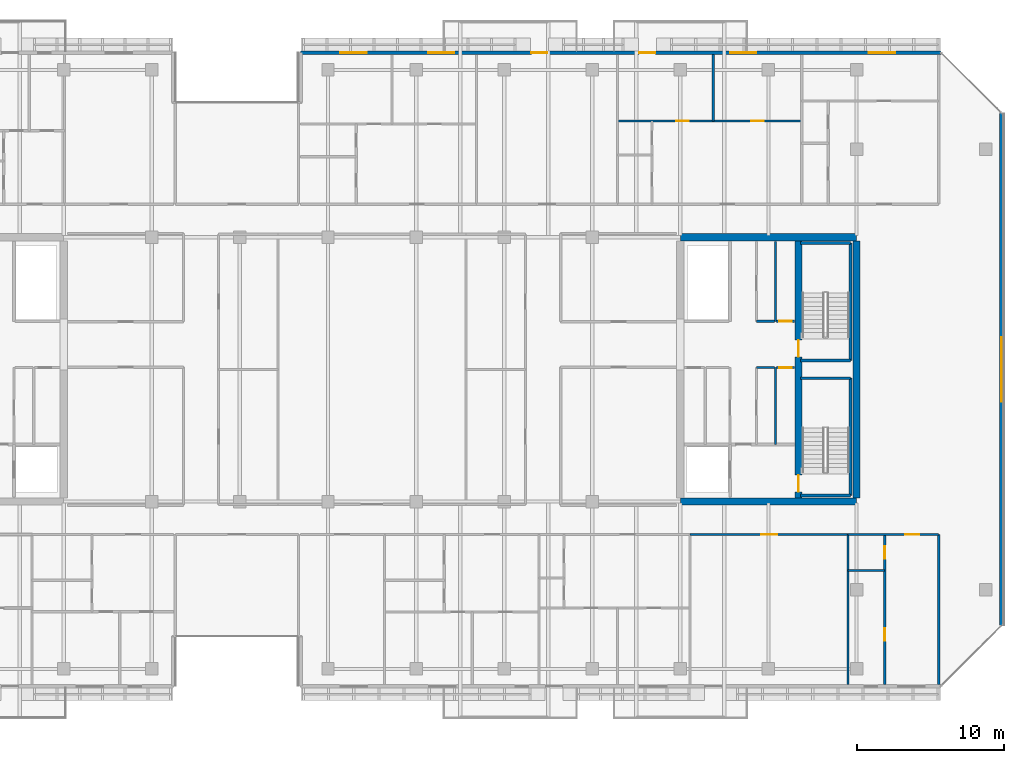
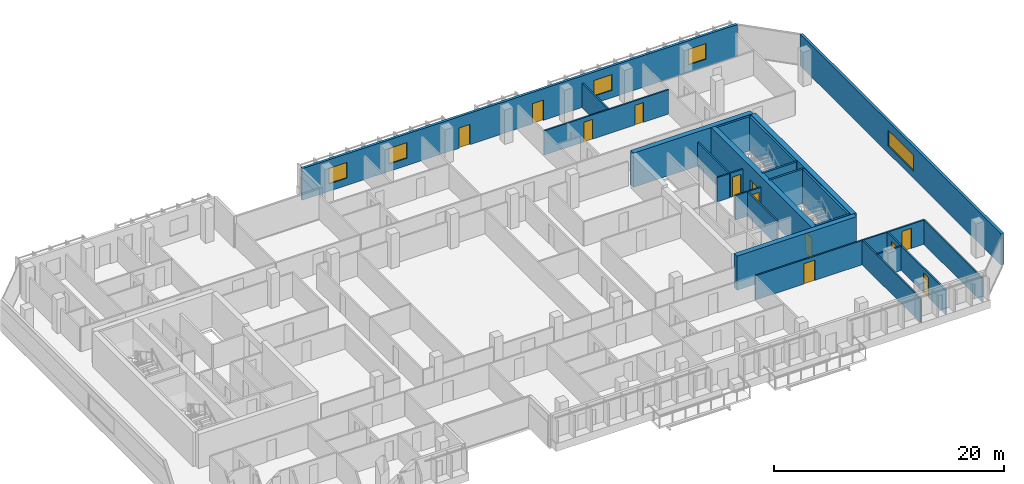
# One storey, part 24 of 31: 26 walls, 12 doors, 5 windows, 17 openings.
"""IFC4 building model written with IfcOpenShell, lengths in metres."""

from ifc_helpers import new_model, si_unit, direction, frame, frame_2d, origin, place, context, subcontext, project, spatial, rectangle, extrude, material, layer, layer_set, type_object, element, fill, save


model = new_model("IFC4")

# Units and contexts
model_context = context("Model", 3, precision=1e-05, world=origin(), true_north=direction((0.0, 1.0)))
body_context = subcontext(model_context, "Body", "Model", "MODEL_VIEW")
ifc_project = project(units=[si_unit("LENGTHUNIT", "METRE"), si_unit("AREAUNIT", "SQUARE_METRE"), si_unit("VOLUMEUNIT", "CUBIC_METRE"), si_unit("PLANEANGLEUNIT", "RADIAN"), si_unit("MASSUNIT", "GRAM", prefix="KILO")], contexts=[model_context])

# Site, building, storey
site_placement = place(None, origin())
site = spatial("IfcSite", under=ifc_project, at=site_placement, CompositionType="ELEMENT")
building_placement = place(site_placement, origin())
building = spatial("IfcBuilding", under=site, at=building_placement, Name="Tanjung Sevakor Pilgrim Tower", CompositionType="ELEMENT")
storey_placement = place(building_placement, frame((0.0, 0.0, 169.2900390625)))
storey = spatial("IfcBuildingStorey", under=building, at=storey_placement, Name="L47", CompositionType="ELEMENT", Elevation=169.2900390625)

# Walls
ifc_material_1 = material(Name="Concrete C60/75", Category="concrete")
ifc_layer_1 = layer(ifc_material_1, 0.5)
ifc_layer_set_1 = layer_set([ifc_layer_1], Name="WALL-CW-500")
wall_type_1 = type_object("IfcWallType", Name="WALL-CW-500", PredefinedType="SHEAR", material=ifc_layer_set_1)
for number, where, z_axis, x_axis, name in (
    (1, (78.0, 24.60009765625, 0.0), (0.0, 0.0, 1.0), (1.0, 0.0, 0.0), "L47 E Core South Shear Wall"),
    (2, (90.0, 42.60009765625, 0.0), (0.0, 0.0, 1.0), (-1.0, 0.0, 0.0), "L47 E Core North Shear Wall"),
):
    element("IfcWall", number, at=place(storey_placement, frame(where, z_axis=z_axis, x_axis=x_axis)), inside=storey, type_object=wall_type_1, Name=name, PredefinedType="SHEAR", context=body_context, shape_type="SweptSolid", body=[
        extrude(rectangle(XDim=12.0, YDim=0.5, at=frame_2d((6.0, 0.0))), origin(), (0.0, 0.0, 1.0), 3.6298828125),
    ])
wall_1_placement = place(storey_placement, frame((90.0, 24.85009765625, 0.0), z_axis=(0.0, 0.0, 1.0), x_axis=(0.0, 1.0, 0.0)))
element("IfcWall", 3, at=wall_1_placement, inside=storey, type_object=wall_type_1, Name="L47 E Core Outer Shear Wall", PredefinedType="SHEAR", context=body_context, shape_type="SweptSolid", body=[
    extrude(rectangle(XDim=17.5, YDim=0.5, at=frame_2d((8.75, 0.0))), origin(), (0.0, 0.0, 1.0), 3.6298828125),
])

# Wall, openings, doors
wall_2_placement = place(storey_placement, frame((86.050048828125, 24.85009765625, 0.0), z_axis=(0.0, 0.0, 1.0), x_axis=(0.0, 1.0, 0.0)))
wall_2 = element("IfcWall", 4, at=wall_2_placement, inside=storey, type_object=wall_type_1, Name="L47 E Core Stair Spine Wall", PredefinedType="SHEAR", context=body_context, shape_type="SweptSolid", body=[
    extrude(rectangle(XDim=17.5, YDim=0.5, at=frame_2d((8.75, 0.0))), origin(), (0.0, 0.0, 1.0), 3.6298828125),
])
opening_1_placement = place(wall_2_placement, frame((0.39990234375, 0.0, 0.0)))
opening_1 = element("IfcOpeningElement", 5, at=opening_1_placement, cuts=wall_2, Name="Opening ID-ST1", PredefinedType="OPENING", context=body_context, shape_type="SweptSolid", body=[
    extrude(rectangle(XDim=1.14990234375, YDim=2.14990234375, at=frame_2d((0.574951171875, 1.074951171875))), frame((0.0, 0.260009765625, 0.0), z_axis=(0.0, -1.0, 0.0), x_axis=(1.0, 0.0, 0.0)), (0.0, 0.0, 1.0), 0.52001953125),
])
opening_2_placement = place(wall_2_placement, frame((9.60009765625, 0.0, 0.0)))
opening_2 = element("IfcOpeningElement", 6, at=opening_2_placement, cuts=wall_2, Name="Opening ID-ST1", PredefinedType="OPENING", context=body_context, shape_type="SweptSolid", body=[
    extrude(rectangle(XDim=1.14990234375, YDim=2.14990234375, at=frame_2d((0.574951171875, 1.074951171875))), frame((0.0, 0.260009765625, 0.0), z_axis=(0.0, -1.0, 0.0), x_axis=(1.0, 0.0, 0.0)), (0.0, 0.0, 1.0), 0.52001953125),
])
ifc_material_2 = material(Name="Fire-Rated Steel S355J2", Category="steel")
door_type_1 = type_object("IfcDoorType", Name="DT-FIRE-1150", OperationType="NOTDEFINED", PredefinedType="DOOR", material=ifc_material_2)
door_1_placement = place(opening_1_placement, origin())
door_1 = element("IfcDoor", 7, at=door_1_placement, inside=storey, type_object=door_type_1, Name="L47 TS-E1 Stair Fire Door", OperationType="SINGLE_SWING_RIGHT", OverallHeight=2.14990234375, OverallWidth=1.14990234375, PredefinedType="DOOR", context=body_context, shape_type="SweptSolid", body=[
    extrude(rectangle(XDim=1.14990234375, YDim=2.14990234375, at=frame_2d((0.574951171875, 1.074951171875))), frame((0.0, 0.02490234375, 0.0), z_axis=(0.0, -1.0, 0.0), x_axis=(1.0, 0.0, 0.0)), (0.0, 0.0, 1.0), 0.050048828125),
])
fill(opening_1, door_1)
door_2_placement = place(opening_2_placement, origin())
door_2 = element("IfcDoor", 8, at=door_2_placement, inside=storey, type_object=door_type_1, Name="L47 TS-E2 Stair Fire Door", OperationType="SINGLE_SWING_LEFT", OverallHeight=2.14990234375, OverallWidth=1.14990234375, PredefinedType="DOOR", context=body_context, shape_type="SweptSolid", body=[
    extrude(rectangle(XDim=1.14990234375, YDim=2.14990234375, at=frame_2d((0.574951171875, 1.074951171875))), frame((0.0, 0.02490234375, 0.0), z_axis=(0.0, -1.0, 0.0), x_axis=(1.0, 0.0, 0.0)), (0.0, 0.0, 1.0), 0.050048828125),
])
fill(opening_2, door_2)

# Wall
ifc_material_3 = material(Name="Concrete C40/50", Category="concrete")
ifc_layer_2 = layer(ifc_material_3, 0.14990234375)
ifc_layer_set_2 = layer_set([ifc_layer_2], Name="WT-COMP-150")
wall_type_2 = type_object("IfcWallType", Name="WT-COMP-150", PredefinedType="SOLIDWALL", material=ifc_layer_set_2)
wall_3_placement = place(storey_placement, frame((84.47998046875, 28.5, 0.0), z_axis=(0.0, 0.0, 1.0), x_axis=(0.0, 1.0, 0.0)))
element("IfcWall", 9, at=wall_3_placement, inside=storey, type_object=wall_type_2, Name="L47 Partition IW-L47-019", PredefinedType="SOLIDWALL", context=body_context, shape_type="SweptSolid", body=[
    extrude(rectangle(XDim=5.219970703125, YDim=0.14990234375, at=frame_2d((2.60986328125, 0.0))), origin(), (0.0, 0.0, 1.0), 2.570068359375),
])

# Wall, opening, door
wall_4_placement = place(storey_placement, frame((84.550048828125, 33.719970703125, 0.0), z_axis=(0.0, 0.0, 1.0), x_axis=(1.0, 0.0, 0.0)))
wall_4 = element("IfcWall", 10, at=wall_4_placement, inside=storey, type_object=wall_type_2, Name="L47 Partition IW-L47-020", PredefinedType="SOLIDWALL", context=body_context, shape_type="SweptSolid", body=[
    extrude(rectangle(XDim=1.22998046875, YDim=0.14990234375, at=frame_2d((0.614990234375, 0.0))), origin(), (0.0, 0.0, 1.0), 2.570068359375),
])
opening_3_placement = place(wall_4_placement, frame((0.179931640625, 0.0, 0.0)))
opening_3 = element("IfcOpeningElement", 11, at=opening_3_placement, cuts=wall_4, Name="Opening ID-FD3", PredefinedType="OPENING", context=body_context, shape_type="SweptSolid", body=[
    extrude(rectangle(XDim=0.85009765625, YDim=2.10009765625, at=frame_2d((0.425048828125, 1.050048828125))), frame((0.0, 0.0849609375, 0.0), z_axis=(0.0, -1.0, 0.0), x_axis=(1.0, 0.0, 0.0)), (0.0, 0.0, 1.0), 0.169921875),
])
ifc_material_4 = material(Name="Fire-Rated Timber", Category="wood")
door_type_2 = type_object("IfcDoorType", Name="DT-FIRE-850", OperationType="NOTDEFINED", PredefinedType="DOOR", material=ifc_material_4)
door_3_placement = place(opening_3_placement, origin())
door_3 = element("IfcDoor", 12, at=door_3_placement, inside=storey, type_object=door_type_2, Name="L47 Cleaner Store Door", OperationType="SINGLE_SWING_RIGHT", OverallHeight=2.10009765625, OverallWidth=0.85009765625, PredefinedType="DOOR", context=body_context, shape_type="SweptSolid", body=[
    extrude(rectangle(XDim=0.85009765625, YDim=2.10009765625, at=frame_2d((0.425048828125, 1.050048828125))), frame((0.0, 0.02490234375, 0.0), z_axis=(0.0, -1.0, 0.0), x_axis=(1.0, 0.0, 0.0)), (0.0, 0.0, 1.0), 0.050048828125),
])
fill(opening_3, door_3)

# Walls
wall_5_placement = place(storey_placement, frame((83.199951171875, 33.719970703125, 0.0), z_axis=(0.0, 0.0, 1.0), x_axis=(1.0, 0.0, 0.0)))
element("IfcWall", 13, at=wall_5_placement, inside=storey, type_object=wall_type_2, Name="L47 Partition IW-L47-021", PredefinedType="SOLIDWALL", context=body_context, shape_type="SweptSolid", body=[
    extrude(rectangle(XDim=1.219970703125, YDim=0.14990234375, at=frame_2d((0.60986328125, 0.0))), origin(), (0.0, 0.0, 1.0), 2.570068359375),
])
wall_6_placement = place(storey_placement, frame((84.47998046875, 36.8798828125, 0.0), z_axis=(0.0, 0.0, 1.0), x_axis=(0.0, 1.0, 0.0)))
element("IfcWall", 14, at=wall_6_placement, inside=storey, type_object=wall_type_2, Name="L47 Partition IW-L47-027", PredefinedType="SOLIDWALL", context=body_context, shape_type="SweptSolid", body=[
    extrude(rectangle(XDim=5.420166015625, YDim=0.14990234375, at=frame_2d((2.7099609375, 0.0))), origin(), (0.0, 0.0, 1.0), 2.570068359375),
])

# Wall, opening, door
wall_7_placement = place(storey_placement, frame((84.550048828125, 36.8798828125, 0.0), z_axis=(0.0, 0.0, 1.0), x_axis=(1.0, 0.0, 0.0)))
wall_7 = element("IfcWall", 15, at=wall_7_placement, inside=storey, type_object=wall_type_2, Name="L47 Partition IW-L47-028", PredefinedType="SOLIDWALL", context=body_context, shape_type="SweptSolid", body=[
    extrude(rectangle(XDim=1.22998046875, YDim=0.14990234375, at=frame_2d((0.614990234375, 0.0))), origin(), (0.0, 0.0, 1.0), 2.570068359375),
])
opening_4_placement = place(wall_7_placement, frame((0.179931640625, 0.0, 0.0)))
opening_4 = element("IfcOpeningElement", 16, at=opening_4_placement, cuts=wall_7, Name="Opening ID-FD3", PredefinedType="OPENING", context=body_context, shape_type="SweptSolid", body=[
    extrude(rectangle(XDim=0.85009765625, YDim=2.10009765625, at=frame_2d((0.425048828125, 1.050048828125))), frame((0.0, 0.0849609375, 0.0), z_axis=(0.0, -1.0, 0.0), x_axis=(1.0, 0.0, 0.0)), (0.0, 0.0, 1.0), 0.169921875),
])
door_4_placement = place(opening_4_placement, origin())
door_4 = element("IfcDoor", 17, at=door_4_placement, inside=storey, type_object=door_type_2, Name="L47 Service Store Door", OperationType="SINGLE_SWING_RIGHT", OverallHeight=2.10009765625, OverallWidth=0.85009765625, PredefinedType="DOOR", context=body_context, shape_type="SweptSolid", body=[
    extrude(rectangle(XDim=0.85009765625, YDim=2.10009765625, at=frame_2d((0.425048828125, 1.050048828125))), frame((0.0, 0.02490234375, 0.0), z_axis=(0.0, -1.0, 0.0), x_axis=(1.0, 0.0, 0.0)), (0.0, 0.0, 1.0), 0.050048828125),
])
fill(opening_4, door_4)

# Walls
wall_8_placement = place(storey_placement, frame((83.199951171875, 36.8798828125, 0.0), z_axis=(0.0, 0.0, 1.0), x_axis=(1.0, 0.0, 0.0)))
element("IfcWall", 18, at=wall_8_placement, inside=storey, type_object=wall_type_2, Name="L47 Partition IW-L47-029", PredefinedType="SOLIDWALL", context=body_context, shape_type="SweptSolid", body=[
    extrude(rectangle(XDim=1.219970703125, YDim=0.14990234375, at=frame_2d((0.60986328125, 0.0))), origin(), (0.0, 0.0, 1.0), 2.570068359375),
])
for number, where, z_axis, x_axis, name in (
    (19, (95.60009765625, 12.14990234375, 0.0), (0.0, 0.0, 1.0), (0.0, 1.0, 0.0), "L47 Partition IW-L47-077"),
    (20, (89.42138671875, 12.14990234375, 0.0), (0.0, 0.0, 1.0), (0.0, 1.0, 0.0), "L47 Partition IW-L47-092"),
):
    element("IfcWall", number, at=place(storey_placement, frame(where, z_axis=z_axis, x_axis=x_axis)), inside=storey, type_object=wall_type_2, Name=name, PredefinedType="SOLIDWALL", context=body_context, shape_type="SweptSolid", body=[
        extrude(rectangle(XDim=10.2001953125, YDim=0.14990234375, at=frame_2d((5.10009765625, 0.0))), origin(), (0.0, 0.0, 1.0), 2.570068359375),
    ])

# Wall, opening, door
wall_9_placement = place(storey_placement, frame((78.665771484375, 22.35009765625, 0.0), z_axis=(0.0, 0.0, 1.0), x_axis=(1.0, 0.0, 0.0)))
wall_9 = element("IfcWall", 21, at=wall_9_placement, inside=storey, type_object=wall_type_2, Name="L47 Partition IW-L47-093", PredefinedType="SOLIDWALL", context=body_context, shape_type="SweptSolid", body=[
    extrude(rectangle(XDim=10.755615234375, YDim=0.14990234375, at=frame_2d((5.3779296875, 0.0))), origin(), (0.0, 0.0, 1.0), 2.570068359375),
])
opening_5_placement = place(wall_9_placement, frame((4.827880859375, 0.0, 0.0)))
opening_5 = element("IfcOpeningElement", 22, at=opening_5_placement, cuts=wall_9, Name="Opening ID-FD0", PredefinedType="OPENING", context=body_context, shape_type="SweptSolid", body=[
    extrude(rectangle(XDim=1.10009765625, YDim=2.14990234375, at=frame_2d((0.550048828125, 1.074951171875))), frame((0.0, 0.0849609375, 0.0), z_axis=(0.0, -1.0, 0.0), x_axis=(1.0, 0.0, 0.0)), (0.0, 0.0, 1.0), 0.169921875),
])
ifc_material_5 = material(Name="Fire-Rated Steel S355J2", Category="steel")
door_type_3 = type_object("IfcDoorType", Name="DT-FIRE-1100", OperationType="NOTDEFINED", PredefinedType="DOOR", material=ifc_material_5)
door_5_placement = place(opening_5_placement, origin())
door_5 = element("IfcDoor", 23, at=door_5_placement, inside=storey, type_object=door_type_3, Name="Communal Lounge Door", OperationType="SINGLE_SWING_RIGHT", OverallHeight=2.14990234375, OverallWidth=1.10009765625, PredefinedType="DOOR", context=body_context, shape_type="SweptSolid", body=[
    extrude(rectangle(XDim=1.10009765625, YDim=2.14990234375, at=frame_2d((0.550048828125, 1.074951171875))), frame((0.0, 0.02490234375, 0.0), z_axis=(0.0, -1.0, 0.0), x_axis=(1.0, 0.0, 0.0)), (0.0, 0.0, 1.0), 0.050048828125),
])
fill(opening_5, door_5)

wall_10_placement = place(storey_placement, frame((89.42138671875, 22.35009765625, 0.0), z_axis=(0.0, 0.0, 1.0), x_axis=(1.0, 0.0, 0.0)))
wall_10 = element("IfcWall", 24, at=wall_10_placement, inside=storey, type_object=wall_type_2, Name="L47 Partition IW-L47-096", PredefinedType="SOLIDWALL", context=body_context, shape_type="SweptSolid", body=[
    extrude(rectangle(XDim=6.1787109375, YDim=0.14990234375, at=frame_2d((3.08935546875, 0.0))), origin(), (0.0, 0.0, 1.0), 2.570068359375),
])
opening_6_placement = place(wall_10_placement, frame((3.90380859375, 0.0, 0.0)))
opening_6 = element("IfcOpeningElement", 25, at=opening_6_placement, cuts=wall_10, Name="Opening ID-FD2", PredefinedType="OPENING", context=body_context, shape_type="SweptSolid", body=[
    extrude(rectangle(XDim=0.949951171875, YDim=2.14990234375, at=frame_2d((0.47509765625, 1.074951171875))), frame((0.0, 0.0849609375, 0.0), z_axis=(0.0, -1.0, 0.0), x_axis=(1.0, 0.0, 0.0)), (0.0, 0.0, 1.0), 0.169921875),
])
ifc_material_6 = material(Name="Fire-Rated Timber", Category="wood")
door_type_4 = type_object("IfcDoorType", Name="DT-FIRE-950", OperationType="NOTDEFINED", PredefinedType="DOOR", material=ifc_material_6)
door_6_placement = place(opening_6_placement, origin())
door_6 = element("IfcDoor", 26, at=door_6_placement, inside=storey, type_object=door_type_4, Name="Hostel Quad Entrance", OperationType="SINGLE_SWING_LEFT", OverallHeight=2.14990234375, OverallWidth=0.949951171875, PredefinedType="DOOR", context=body_context, shape_type="SweptSolid", body=[
    extrude(rectangle(XDim=0.949951171875, YDim=2.14990234375, at=frame_2d((0.47509765625, 1.074951171875))), frame((0.0, 0.02490234375, 0.0), z_axis=(0.0, -1.0, 0.0), x_axis=(1.0, 0.0, 0.0)), (0.0, 0.0, 1.0), 0.050048828125),
])
fill(opening_6, door_6)

# Wall, opening, window
ifc_material_7 = material(Name="Precast concrete C45/55", Category="concrete")
ifc_layer_3 = layer(ifc_material_7, 0.25)
ifc_layer_set_3 = layer_set([ifc_layer_3], Name="WT-EW-STN3")
wall_type_3 = type_object("IfcWallType", Name="WT-EW-STN3", PredefinedType="SOLIDWALL", material=ifc_layer_set_3)
wall_11_placement = place(storey_placement, frame((99.875, 16.15185546875, 0.0), z_axis=(0.0, 0.0, 1.0), x_axis=(0.0, 1.0, 0.0)))
wall_11 = element("IfcWall", 27, at=wall_11_placement, inside=storey, type_object=wall_type_3, Name="L47 MAIN Exterior Wall 7", PredefinedType="SOLIDWALL", context=body_context, shape_type="SweptSolid", body=[
    extrude(rectangle(XDim=34.896240234375, YDim=0.25, at=frame_2d((17.4482421875, 0.0))), origin(), (0.0, 0.0, 1.0), 3.35009765625),
])
opening_7_placement = place(wall_11_placement, frame((15.248291015625, 0.0, 0.780029296875)))
opening_7 = element("IfcOpeningElement", 28, at=opening_7_placement, cuts=wall_11, Name="Opening WN-ENDW-1660", PredefinedType="OPENING", context=body_context, shape_type="SweptSolid", body=[
    extrude(rectangle(XDim=4.39990234375, YDim=1.659912109375, at=frame_2d((2.199951171875, 0.830078125))), frame((0.0, 0.135009765625, 0.0), z_axis=(0.0, -1.0, 0.0), x_axis=(1.0, 0.0, 0.0)), (0.0, 0.0, 1.0), 0.27001953125),
])
ifc_material_8 = material(Name="Thermally Broken Aluminium and Low-E Glass", Category="aluminium")
window_type_1 = type_object("IfcWindowType", Name="WTYP-WN-ENDW-1660", PartitioningType="DOUBLE_PANEL_VERTICAL", PredefinedType="WINDOW", material=ifc_material_8)
window_1_placement = place(opening_7_placement, origin())
window_1 = element("IfcWindow", 29, at=window_1_placement, inside=storey, type_object=window_type_1, Name="L47 Facade Window 01", OverallHeight=1.659912109375, OverallWidth=4.39990234375, PartitioningType="SINGLE_PANEL", PredefinedType="WINDOW", context=body_context, shape_type="SweptSolid", body=[
    extrude(rectangle(XDim=4.39990234375, YDim=1.659912109375, at=frame_2d((2.199951171875, 0.830078125))), frame((0.0, 0.030029296875, 0.0), z_axis=(0.0, -1.0, 0.0), x_axis=(1.0, 0.0, 0.0)), (0.0, 0.0, 1.0), 0.06005859375),
])
fill(opening_7, window_1)

# Wall, openings, doors, windows
wall_12_placement = place(storey_placement, frame((95.748291015625, 55.175048828125, 0.0), z_axis=(0.0, 0.0, 1.0), x_axis=(-1.0, 0.0, 0.0)))
wall_12 = element("IfcWall", 30, at=wall_12_placement, inside=storey, type_object=wall_type_3, Name="L47 MAIN Exterior Wall 9", PredefinedType="SOLIDWALL", context=body_context, shape_type="SweptSolid", body=[
    extrude(rectangle(XDim=43.623291015625, YDim=0.25, at=frame_2d((21.8115234375, 0.0))), origin(), (0.0, 0.0, 1.0), 3.35009765625),
])
opening_8_placement = place(wall_12_placement, frame((26.798095703125, 0.0, 0.0)))
opening_8 = element("IfcOpeningElement", 31, at=opening_8_placement, cuts=wall_12, Name="Opening ED-BAL-1100", PredefinedType="OPENING", context=body_context, shape_type="SweptSolid", body=[
    extrude(rectangle(XDim=1.10009765625, YDim=2.14990234375, at=frame_2d((0.550048828125, 1.074951171875))), frame((0.0, 0.135009765625, 0.0), z_axis=(0.0, -1.0, 0.0), x_axis=(1.0, 0.0, 0.0)), (0.0, 0.0, 1.0), 0.27001953125),
])
opening_9_placement = place(wall_12_placement, frame((19.4482421875, 0.0, 0.0)))
opening_9 = element("IfcOpeningElement", 32, at=opening_9_placement, cuts=wall_12, Name="Opening ED-BAL-1100", PredefinedType="OPENING", context=body_context, shape_type="SweptSolid", body=[
    extrude(rectangle(XDim=1.10009765625, YDim=2.14990234375, at=frame_2d((0.550048828125, 1.074951171875))), frame((0.0, 0.135009765625, 0.0), z_axis=(0.0, -1.0, 0.0), x_axis=(1.0, 0.0, 0.0)), (0.0, 0.0, 1.0), 0.27001953125),
])
opening_10_placement = place(wall_12_placement, frame((39.1171875, 0.0, 0.780029296875)))
opening_10 = element("IfcOpeningElement", 33, at=opening_10_placement, cuts=wall_12, Name="Opening WN-Z3-1660", PredefinedType="OPENING", context=body_context, shape_type="SweptSolid", body=[
    extrude(rectangle(XDim=1.800048828125, YDim=1.659912109375, at=frame_2d((0.89990234375, 0.830078125))), frame((0.0, 0.135009765625, 0.0), z_axis=(0.0, -1.0, 0.0), x_axis=(1.0, 0.0, 0.0)), (0.0, 0.0, 1.0), 0.27001953125),
])
opening_11_placement = place(wall_12_placement, frame((33.135498046875, 0.0, 0.780029296875)))
opening_11 = element("IfcOpeningElement", 34, at=opening_11_placement, cuts=wall_12, Name="Opening WN-Z3-1660", PredefinedType="OPENING", context=body_context, shape_type="SweptSolid", body=[
    extrude(rectangle(XDim=1.800048828125, YDim=1.659912109375, at=frame_2d((0.89990234375, 0.830078125))), frame((0.0, 0.135009765625, 0.0), z_axis=(0.0, -1.0, 0.0), x_axis=(1.0, 0.0, 0.0)), (0.0, 0.0, 1.0), 0.27001953125),
])
opening_12_placement = place(wall_12_placement, frame((12.563232421875, 0.0, 0.780029296875)))
opening_12 = element("IfcOpeningElement", 35, at=opening_12_placement, cuts=wall_12, Name="Opening WN-Z3-1660", PredefinedType="OPENING", context=body_context, shape_type="SweptSolid", body=[
    extrude(rectangle(XDim=1.800048828125, YDim=1.659912109375, at=frame_2d((0.89990234375, 0.830078125))), frame((0.0, 0.135009765625, 0.0), z_axis=(0.0, -1.0, 0.0), x_axis=(1.0, 0.0, 0.0)), (0.0, 0.0, 1.0), 0.27001953125),
])
opening_13_placement = place(wall_12_placement, frame((3.1162109375, 0.0, 0.780029296875)))
opening_13 = element("IfcOpeningElement", 36, at=opening_13_placement, cuts=wall_12, Name="Opening WN-Z3-1660", PredefinedType="OPENING", context=body_context, shape_type="SweptSolid", body=[
    extrude(rectangle(XDim=1.800048828125, YDim=1.659912109375, at=frame_2d((0.89990234375, 0.830078125))), frame((0.0, 0.135009765625, 0.0), z_axis=(0.0, -1.0, 0.0), x_axis=(1.0, 0.0, 0.0)), (0.0, 0.0, 1.0), 0.27001953125),
])
ifc_material_9 = material(Name="Anodised Aluminium and Laminated Glass", Category="aluminium")
door_type_5 = type_object("IfcDoorType", Name="DTYP-ED-BAL-1100", OperationType="NOTDEFINED", PredefinedType="DOOR", material=ifc_material_9)
door_7_placement = place(opening_8_placement, frame((1.10009765625, 0.0, 0.0), z_axis=(0.0, 0.0, 1.0), x_axis=(-1.0, 0.0, 0.0)))
door_7 = element("IfcDoor", 37, at=door_7_placement, inside=storey, type_object=door_type_5, Name="L47 Balcony Door MAIN-N2", OperationType="SINGLE_SWING_LEFT", OverallHeight=2.14990234375, OverallWidth=1.10009765625, PredefinedType="DOOR", context=body_context, shape_type="SweptSolid", body=[
    extrude(rectangle(XDim=1.10009765625, YDim=2.14990234375, at=frame_2d((0.550048828125, 1.074951171875))), frame((0.0, 0.02490234375, 0.0), z_axis=(0.0, -1.0, 0.0), x_axis=(1.0, 0.0, 0.0)), (0.0, 0.0, 1.0), 0.050048828125),
])
fill(opening_8, door_7)
door_8_placement = place(opening_9_placement, frame((1.10009765625, 0.0, 0.0), z_axis=(0.0, 0.0, 1.0), x_axis=(-1.0, 0.0, 0.0)))
door_8 = element("IfcDoor", 38, at=door_8_placement, inside=storey, type_object=door_type_5, Name="L47 Balcony Door MAIN-N3", OperationType="SINGLE_SWING_RIGHT", OverallHeight=2.14990234375, OverallWidth=1.10009765625, PredefinedType="DOOR", context=body_context, shape_type="SweptSolid", body=[
    extrude(rectangle(XDim=1.10009765625, YDim=2.14990234375, at=frame_2d((0.550048828125, 1.074951171875))), frame((0.0, 0.02490234375, 0.0), z_axis=(0.0, -1.0, 0.0), x_axis=(1.0, 0.0, 0.0)), (0.0, 0.0, 1.0), 0.050048828125),
])
fill(opening_9, door_8)
ifc_material_10 = material(Name="Thermally Broken Aluminium and Low-E Glass", Category="aluminium")
window_type_2 = type_object("IfcWindowType", Name="WTYP-WN-Z3-1660", PartitioningType="DOUBLE_PANEL_VERTICAL", PredefinedType="WINDOW", material=ifc_material_10)
window_2_placement = place(opening_10_placement, origin())
window_2 = element("IfcWindow", 39, at=window_2_placement, inside=storey, type_object=window_type_2, Name="L47 Facade Window 01", OverallHeight=1.659912109375, OverallWidth=1.800048828125, PartitioningType="SINGLE_PANEL", PredefinedType="WINDOW", context=body_context, shape_type="SweptSolid", body=[
    extrude(rectangle(XDim=1.800048828125, YDim=1.659912109375, at=frame_2d((0.89990234375, 0.830078125))), frame((0.0, 0.030029296875, 0.0), z_axis=(0.0, -1.0, 0.0), x_axis=(1.0, 0.0, 0.0)), (0.0, 0.0, 1.0), 0.06005859375),
])
fill(opening_10, window_2)
window_3_placement = place(opening_11_placement, origin())
window_3 = element("IfcWindow", 40, at=window_3_placement, inside=storey, type_object=window_type_2, Name="L47 Facade Window 02", OverallHeight=1.659912109375, OverallWidth=1.800048828125, PartitioningType="SINGLE_PANEL", PredefinedType="WINDOW", context=body_context, shape_type="SweptSolid", body=[
    extrude(rectangle(XDim=1.800048828125, YDim=1.659912109375, at=frame_2d((0.89990234375, 0.830078125))), frame((0.0, 0.030029296875, 0.0), z_axis=(0.0, -1.0, 0.0), x_axis=(1.0, 0.0, 0.0)), (0.0, 0.0, 1.0), 0.06005859375),
])
fill(opening_11, window_3)
window_4_placement = place(opening_12_placement, origin())
window_4 = element("IfcWindow", 41, at=window_4_placement, inside=storey, type_object=window_type_2, Name="L47 Facade Window 03", OverallHeight=1.659912109375, OverallWidth=1.800048828125, PartitioningType="SINGLE_PANEL", PredefinedType="WINDOW", context=body_context, shape_type="SweptSolid", body=[
    extrude(rectangle(XDim=1.800048828125, YDim=1.659912109375, at=frame_2d((0.89990234375, 0.830078125))), frame((0.0, 0.030029296875, 0.0), z_axis=(0.0, -1.0, 0.0), x_axis=(1.0, 0.0, 0.0)), (0.0, 0.0, 1.0), 0.06005859375),
])
fill(opening_12, window_4)
window_5_placement = place(opening_13_placement, origin())
window_5 = element("IfcWindow", 42, at=window_5_placement, inside=storey, type_object=window_type_2, Name="L47 Facade Window 04", OverallHeight=1.659912109375, OverallWidth=1.800048828125, PartitioningType="SINGLE_PANEL", PredefinedType="WINDOW", context=body_context, shape_type="SweptSolid", body=[
    extrude(rectangle(XDim=1.800048828125, YDim=1.659912109375, at=frame_2d((0.89990234375, 0.830078125))), frame((0.0, 0.030029296875, 0.0), z_axis=(0.0, -1.0, 0.0), x_axis=(1.0, 0.0, 0.0)), (0.0, 0.0, 1.0), 0.06005859375),
])
fill(opening_13, window_5)

# Walls
ifc_material_11 = material(Name="Concrete C40/50", Category="concrete")
ifc_layer_4 = layer(ifc_material_11, 0.199951171875)
ifc_layer_set_4 = layer_set([ifc_layer_4], Name="WT-FIRE-200")
wall_type_4 = type_object("IfcWallType", Name="WT-FIRE-200", PredefinedType="SOLIDWALL", material=ifc_layer_set_4)
wall_13_placement = place(storey_placement, frame((86.199951171875, 25.0, 0.0), z_axis=(0.0, 0.0, 1.0), x_axis=(1.0, 0.0, 0.0)))
element("IfcWall", 43, at=wall_13_placement, inside=storey, type_object=wall_type_4, Name="L47 TS-E1 Shaft Wall 1", PredefinedType="SOLIDWALL", context=body_context, shape_type="SweptSolid", body=[
    extrude(rectangle(XDim=3.400146484375, YDim=0.199951171875, at=frame_2d((1.7001953125, 0.0))), origin(), (0.0, 0.0, 1.0), 3.6298828125),
])
wall_14_placement = place(storey_placement, frame((89.60009765625, 25.0, 0.0), z_axis=(0.0, 0.0, 1.0), x_axis=(0.0, 1.0, 0.0)))
element("IfcWall", 44, at=wall_14_placement, inside=storey, type_object=wall_type_4, Name="L47 TS-E1 Shaft Wall 2", PredefinedType="SOLIDWALL", context=body_context, shape_type="SweptSolid", body=[
    extrude(rectangle(XDim=8.0, YDim=0.199951171875, at=frame_2d((4.0, 0.0))), origin(), (0.0, 0.0, 1.0), 3.6298828125),
])
for number, where, z_axis, x_axis, name in (
    (45, (89.60009765625, 33.0, 0.0), (0.0, 0.0, 1.0), (-1.0, 0.0, 0.0), "L47 TS-E1 Shaft Wall 3"),
    (46, (86.199951171875, 34.199951171875, 0.0), (0.0, 0.0, 1.0), (1.0, 0.0, 0.0), "L47 TS-E2 Shaft Wall 1"),
):
    element("IfcWall", number, at=place(storey_placement, frame(where, z_axis=z_axis, x_axis=x_axis)), inside=storey, type_object=wall_type_4, Name=name, PredefinedType="SOLIDWALL", context=body_context, shape_type="SweptSolid", body=[
        extrude(rectangle(XDim=3.400146484375, YDim=0.199951171875, at=frame_2d((1.7001953125, 0.0))), origin(), (0.0, 0.0, 1.0), 3.6298828125),
    ])
wall_15_placement = place(storey_placement, frame((89.60009765625, 34.199951171875, 0.0), z_axis=(0.0, 0.0, 1.0), x_axis=(0.0, 1.0, 0.0)))
element("IfcWall", 47, at=wall_15_placement, inside=storey, type_object=wall_type_4, Name="L47 TS-E2 Shaft Wall 2", PredefinedType="SOLIDWALL", context=body_context, shape_type="SweptSolid", body=[
    extrude(rectangle(XDim=8.0, YDim=0.199951171875, at=frame_2d((4.0, 0.0))), origin(), (0.0, 0.0, 1.0), 3.6298828125),
])
wall_16_placement = place(storey_placement, frame((89.60009765625, 42.199951171875, 0.0), z_axis=(0.0, 0.0, 1.0), x_axis=(-1.0, 0.0, 0.0)))
element("IfcWall", 48, at=wall_16_placement, inside=storey, type_object=wall_type_4, Name="L47 TS-E2 Shaft Wall 3", PredefinedType="SOLIDWALL", context=body_context, shape_type="SweptSolid", body=[
    extrude(rectangle(XDim=3.400146484375, YDim=0.199951171875, at=frame_2d((1.7001953125, 0.0))), origin(), (0.0, 0.0, 1.0), 3.6298828125),
])
ifc_material_12 = material(Name="Gypsum Board Partition", Category="gypsum board")
ifc_layer_5 = layer(ifc_material_12, 0.14990234375)
ifc_layer_set_5 = layer_set([ifc_layer_5], Name="WT-PART-150")
wall_type_5 = type_object("IfcWallType", Name="WT-PART-150", PredefinedType="PARTITIONING", material=ifc_layer_set_5)
wall_17_placement = place(storey_placement, frame((89.42138671875, 19.89990234375, 0.0), z_axis=(0.0, 0.0, 1.0), x_axis=(1.0, 0.0, 0.0)))
element("IfcWall", 49, at=wall_17_placement, inside=storey, type_object=wall_type_5, Name="L47 Partition IW-L47-094", PredefinedType="PARTITIONING", context=body_context, shape_type="SweptSolid", body=[
    extrude(rectangle(XDim=2.49853515625, YDim=0.14990234375, at=frame_2d((1.249267578125, 0.0))), origin(), (0.0, 0.0, 1.0), 2.570068359375),
])

# Wall, openings, doors
wall_18_placement = place(storey_placement, frame((91.919921875, 12.14990234375, 0.0), z_axis=(0.0, 0.0, 1.0), x_axis=(0.0, 1.0, 0.0)))
wall_18 = element("IfcWall", 50, at=wall_18_placement, inside=storey, type_object=wall_type_5, Name="L47 Partition IW-L47-095", PredefinedType="PARTITIONING", context=body_context, shape_type="SweptSolid", body=[
    extrude(rectangle(XDim=10.2001953125, YDim=0.14990234375, at=frame_2d((5.10009765625, 0.0))), origin(), (0.0, 0.0, 1.0), 2.570068359375),
])
opening_14_placement = place(wall_18_placement, frame((2.9599609375, 0.0, 0.0)))
opening_14 = element("IfcOpeningElement", 51, at=opening_14_placement, cuts=wall_18, Name="Opening ID-WC1", PredefinedType="OPENING", context=body_context, shape_type="SweptSolid", body=[
    extrude(rectangle(XDim=0.85009765625, YDim=2.10009765625, at=frame_2d((0.425048828125, 1.050048828125))), frame((0.0, 0.0849609375, 0.0), z_axis=(0.0, -1.0, 0.0), x_axis=(1.0, 0.0, 0.0)), (0.0, 0.0, 1.0), 0.169921875),
])
opening_15_placement = place(wall_18_placement, frame((8.550048828125, 0.0, 0.0)))
opening_15 = element("IfcOpeningElement", 52, at=opening_15_placement, cuts=wall_18, Name="Opening ID-WC1", PredefinedType="OPENING", context=body_context, shape_type="SweptSolid", body=[
    extrude(rectangle(XDim=0.85009765625, YDim=2.10009765625, at=frame_2d((0.425048828125, 1.050048828125))), frame((0.0, 0.0849609375, 0.0), z_axis=(0.0, -1.0, 0.0), x_axis=(1.0, 0.0, 0.0)), (0.0, 0.0, 1.0), 0.169921875),
])
ifc_material_13 = material(Name="Moisture-Resistant Timber", Category="wood")
door_type_6 = type_object("IfcDoorType", Name="DT-INT-850", OperationType="NOTDEFINED", PredefinedType="DOOR", material=ifc_material_13)
door_9_placement = place(opening_14_placement, origin())
door_9 = element("IfcDoor", 53, at=door_9_placement, inside=storey, type_object=door_type_6, Name="Study Nook Door", OperationType="SINGLE_SWING_LEFT", OverallHeight=2.10009765625, OverallWidth=0.85009765625, PredefinedType="DOOR", context=body_context, shape_type="SweptSolid", body=[
    extrude(rectangle(XDim=0.85009765625, YDim=2.10009765625, at=frame_2d((0.425048828125, 1.050048828125))), frame((0.0, 0.02490234375, 0.0), z_axis=(0.0, -1.0, 0.0), x_axis=(1.0, 0.0, 0.0)), (0.0, 0.0, 1.0), 0.050048828125),
])
fill(opening_14, door_9)
door_10_placement = place(opening_15_placement, origin())
door_10 = element("IfcDoor", 54, at=door_10_placement, inside=storey, type_object=door_type_6, Name="Bathroom Door", OperationType="SINGLE_SWING_RIGHT", OverallHeight=2.10009765625, OverallWidth=0.85009765625, PredefinedType="DOOR", context=body_context, shape_type="SweptSolid", body=[
    extrude(rectangle(XDim=0.85009765625, YDim=2.10009765625, at=frame_2d((0.425048828125, 1.050048828125))), frame((0.0, 0.02490234375, 0.0), z_axis=(0.0, -1.0, 0.0), x_axis=(1.0, 0.0, 0.0)), (0.0, 0.0, 1.0), 0.050048828125),
])
fill(opening_15, door_10)

# Wall
wall_19_placement = place(storey_placement, frame((80.245849609375, 50.52490234375, 0.0), z_axis=(0.0, 0.0, 1.0), x_axis=(0.0, 1.0, 0.0)))
element("IfcWall", 55, at=wall_19_placement, inside=storey, type_object=wall_type_5, Name="L47 Partition IW-L47-121", PredefinedType="PARTITIONING", context=body_context, shape_type="SweptSolid", body=[
    extrude(rectangle(XDim=4.525146484375, YDim=0.14990234375, at=frame_2d((2.2626953125, 0.0))), origin(), (0.0, 0.0, 1.0), 2.570068359375),
])

# Wall, openings, doors
wall_20_placement = place(storey_placement, frame((73.7265625, 50.52490234375, 0.0), z_axis=(0.0, 0.0, 1.0), x_axis=(1.0, 0.0, 0.0)))
wall_20 = element("IfcWall", 56, at=wall_20_placement, inside=storey, type_object=wall_type_5, Name="L47 Partition IW-L47-122", PredefinedType="PARTITIONING", context=body_context, shape_type="SweptSolid", body=[
    extrude(rectangle(XDim=12.537353515625, YDim=0.14990234375, at=frame_2d((6.2685546875, 0.0))), origin(), (0.0, 0.0, 1.0), 2.570068359375),
])
opening_16_placement = place(wall_20_placement, frame((4.009521484375, 0.0, 0.0)))
opening_16 = element("IfcOpeningElement", 57, at=opening_16_placement, cuts=wall_20, Name="Opening ID-WC1", PredefinedType="OPENING", context=body_context, shape_type="SweptSolid", body=[
    extrude(rectangle(XDim=0.85009765625, YDim=2.10009765625, at=frame_2d((0.425048828125, 1.050048828125))), frame((0.0, 0.0849609375, 0.0), z_axis=(0.0, -1.0, 0.0), x_axis=(1.0, 0.0, 0.0)), (0.0, 0.0, 1.0), 0.169921875),
])
opening_17_placement = place(wall_20_placement, frame((9.103271484375, 0.0, 0.0)))
opening_17 = element("IfcOpeningElement", 58, at=opening_17_placement, cuts=wall_20, Name="Opening ID-WC1", PredefinedType="OPENING", context=body_context, shape_type="SweptSolid", body=[
    extrude(rectangle(XDim=0.85009765625, YDim=2.10009765625, at=frame_2d((0.425048828125, 1.050048828125))), frame((0.0, 0.0849609375, 0.0), z_axis=(0.0, -1.0, 0.0), x_axis=(1.0, 0.0, 0.0)), (0.0, 0.0, 1.0), 0.169921875),
])
door_11_placement = place(opening_16_placement, origin())
door_11 = element("IfcDoor", 59, at=door_11_placement, inside=storey, type_object=door_type_6, Name="Suite Bedroom 1 Door", OperationType="SINGLE_SWING_LEFT", OverallHeight=2.10009765625, OverallWidth=0.85009765625, PredefinedType="DOOR", context=body_context, shape_type="SweptSolid", body=[
    extrude(rectangle(XDim=0.85009765625, YDim=2.10009765625, at=frame_2d((0.425048828125, 1.050048828125))), frame((0.0, 0.02490234375, 0.0), z_axis=(0.0, -1.0, 0.0), x_axis=(1.0, 0.0, 0.0)), (0.0, 0.0, 1.0), 0.050048828125),
])
fill(opening_16, door_11)
door_12_placement = place(opening_17_placement, origin())
door_12 = element("IfcDoor", 60, at=door_12_placement, inside=storey, type_object=door_type_6, Name="Suite Bedroom 2 Door", OperationType="SINGLE_SWING_RIGHT", OverallHeight=2.10009765625, OverallWidth=0.85009765625, PredefinedType="DOOR", context=body_context, shape_type="SweptSolid", body=[
    extrude(rectangle(XDim=0.85009765625, YDim=2.10009765625, at=frame_2d((0.425048828125, 1.050048828125))), frame((0.0, 0.02490234375, 0.0), z_axis=(0.0, -1.0, 0.0), x_axis=(1.0, 0.0, 0.0)), (0.0, 0.0, 1.0), 0.050048828125),
])
fill(opening_17, door_12)

save(model, "model.ifc")
